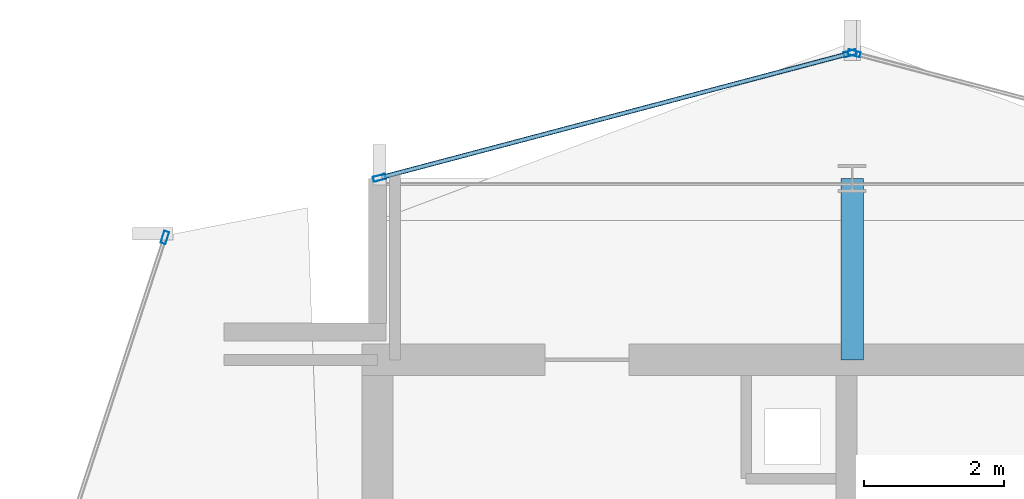
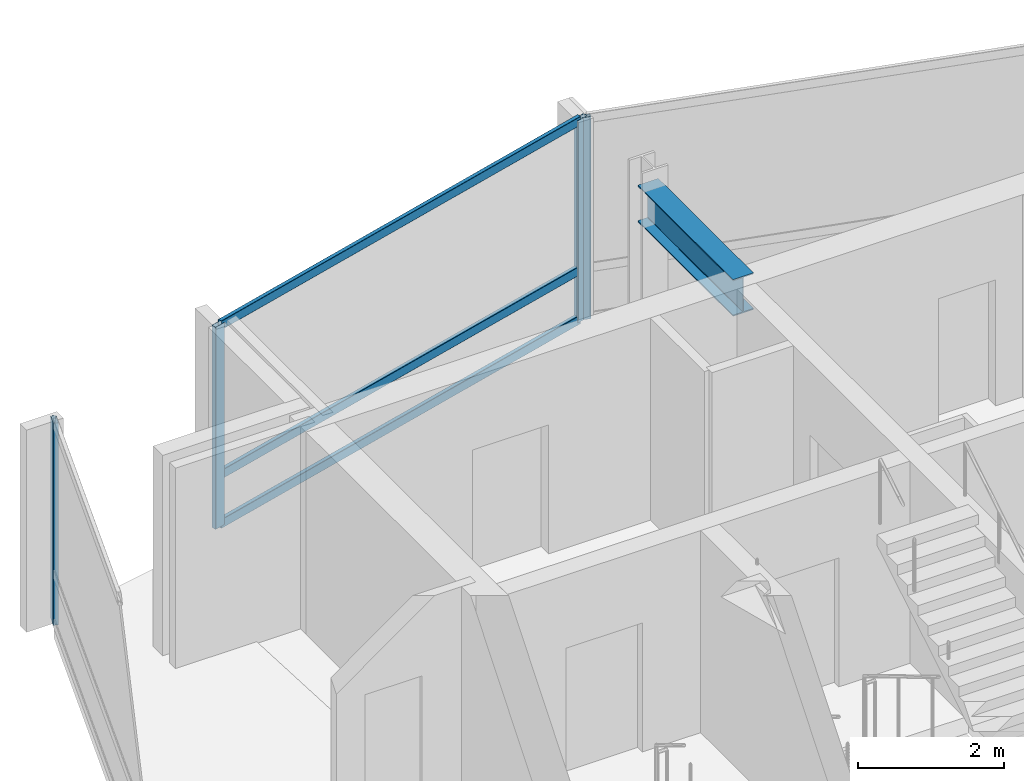
# One storey, part 16 of 27: 7 members, 1 beam, 3 elements without a shape of their own.
"""IFC4 building model written with IfcOpenShell, lengths in metres."""

from ifc_helpers import new_model, si_unit, direction, frame, origin, origin_2d, place, context, subcontext, project, spatial, hollow_rectangle, i_section, extrude, material, layer, layer_set, material_profile, profile_set, type_object, element, aggregate, save


model = new_model("IFC4")

# Units and contexts
model_context = context("Model", 3, precision=1e-05, world=origin(), true_north=direction((0.0, 1.0)))
body_context = subcontext(model_context, "Body", "Model", "MODEL_VIEW")
ifc_project = project(units=[si_unit("LENGTHUNIT", "METRE"), si_unit("AREAUNIT", "SQUARE_METRE"), si_unit("VOLUMEUNIT", "CUBIC_METRE"), si_unit("PLANEANGLEUNIT", "RADIAN"), si_unit("MASSUNIT", "GRAM", prefix="KILO")], contexts=[model_context])

# Site, building, storey
site_placement = place(None, origin())
site = spatial("IfcSite", under=ifc_project, at=site_placement, CompositionType="ELEMENT")
building_placement = place(site_placement, origin())
building = spatial("IfcBuilding", under=site, at=building_placement, Name="Solvaryn Broadcast Tower", CompositionType="ELEMENT")
storey_placement = place(building_placement, frame((0.0, 0.0, 232.10009765625)))
storey = spatial("IfcBuildingStorey", under=building, at=storey_placement, Name="L58", CompositionType="ELEMENT", Elevation=232.10009765625)

# Beam
ifc_material_1 = material(Name="Steel ASTM A992 Grade 50", Category="steel")
ifc_material_profile_1 = material_profile(ifc_material_1, i_section(OverallWidth=0.323974609375, OverallDepth=0.611083984375, WebThickness=0.0126953125, FlangeThickness=0.01904296875, FilletRadius=0.014892578125, at=origin_2d()))
ifc_profile_set_1 = profile_set([ifc_material_profile_1], Name="Steel ASTM A992 Grade 50")
beam_type = type_object("IfcBeamType", Name="BM-B1-W24X104", PredefinedType="BEAM", material=ifc_profile_set_1)
beam_placement = place(storey_placement, frame((18.0, 42.39990234375, 3.064453125), z_axis=(0.0, 1.0, 0.0), x_axis=(-1.0, 0.0, 0.0)))
element("IfcBeam", 1, at=beam_placement, inside=storey, type_object=beam_type, Name="L58 Core Tie Beam CTW3", PredefinedType="BEAM", context=body_context, shape_type="SweptSolid", body=[
    extrude(i_section(OverallWidth=0.323974609375, OverallDepth=0.611083984375, WebThickness=0.0126953125, FlangeThickness=0.01904296875, FilletRadius=0.014892578125, at=origin_2d()), origin(), (0.0, 0.0, 1.0), 2.60009765625),
])

# Curtain wall, member
ifc_material_2 = material(Name="Aluminium and Terracotta Unitised Curtain Wall", Category="masonry")
ifc_layer = layer(ifc_material_2, 0.199951171875)
ifc_layer_set = layer_set([ifc_layer], Name="CW-SYS2-LOWMID")
curtain_wall_type = type_object("IfcCurtainWallType", Name="CW-SYS2-LOWMID", PredefinedType="NOTDEFINED", material=ifc_layer_set)
curtain_wall_1_placement = place(storey_placement, origin())
curtain_wall_1 = element("IfcCurtainWall", 2, at=curtain_wall_1_placement, inside=storey, type_object=curtain_wall_type, Name="L58 Curtain Wall DR1", PredefinedType="NOTDEFINED")
ifc_material_3 = material(Name="Anodised Aluminium 6063-T6", Category="aluminium")
ifc_material_profile_2 = material_profile(ifc_material_3, hollow_rectangle(XDim=0.074951171875, YDim=0.179931640625, WallThickness=0.00390625, InnerFilletRadius=0.00390625, OuterFilletRadius=0.008056640625, at=origin_2d()))
ifc_profile_set_2 = profile_set([ifc_material_profile_2], Name="Anodised Aluminium 6063-T6")
member_type_1 = type_object("IfcMemberType", Name="CW-MUL-180", PredefinedType="MULLION", material=ifc_profile_set_2)
member_1_placement = place(storey_placement, frame((8.153564453125, 44.153564453125, 0.0), z_axis=(0.0, 0.0, 1.0), x_axis=(0.950226902099, -0.311558717623, 0.0)))
member_1 = element("IfcMember", 3, at=member_1_placement, type_object=member_type_1, Name="CWS2 mullion 1", PredefinedType="MULLION", context=body_context, shape_type="SweptSolid", body=[
    extrude(hollow_rectangle(XDim=0.074951171875, YDim=0.179931640625, WallThickness=0.00390625, InnerFilletRadius=0.00390625, OuterFilletRadius=0.008056640625, at=origin_2d()), origin(), (0.0, 0.0, 1.0), 3.369873046875),
])
aggregate(curtain_wall_1, [member_1])

curtain_wall_2_placement = place(storey_placement, origin())
curtain_wall_2 = element("IfcCurtainWall", 4, at=curtain_wall_2_placement, inside=storey, type_object=curtain_wall_type, Name="L58 Curtain Wall NT1", PredefinedType="NOTDEFINED")
member_2_placement = place(storey_placement, frame((18.029052734375, 46.792236328125, 0.0), z_axis=(0.0, 0.0, 1.0), x_axis=(-0.25589256031, -0.966705227863, 0.0)))
member_2 = element("IfcMember", 5, at=member_2_placement, type_object=member_type_1, Name="CWS2 mullion 2", PredefinedType="MULLION", context=body_context, shape_type="SweptSolid", body=[
    extrude(hollow_rectangle(XDim=0.074951171875, YDim=0.179931640625, WallThickness=0.00390625, InnerFilletRadius=0.00390625, OuterFilletRadius=0.008056640625, at=origin_2d()), origin(), (0.0, 0.0, 1.0), 3.369873046875),
])
aggregate(curtain_wall_2, [member_2])

# Curtain wall, members
curtain_wall_3_placement = place(storey_placement, origin())
curtain_wall_3 = element("IfcCurtainWall", 6, at=curtain_wall_3_placement, inside=storey, type_object=curtain_wall_type, Name="L58 Curtain Wall NT2", PredefinedType="NOTDEFINED")
member_3_placement = place(storey_placement, frame((17.970947265625, 46.792236328125, 0.0), z_axis=(0.0, 0.0, 1.0), x_axis=(0.25589256031, -0.966705227863, 0.0)))
member_3 = element("IfcMember", 7, at=member_3_placement, type_object=member_type_1, Name="CWS2 mullion 1", PredefinedType="MULLION", context=body_context, shape_type="SweptSolid", body=[
    extrude(hollow_rectangle(XDim=0.074951171875, YDim=0.179931640625, WallThickness=0.00390625, InnerFilletRadius=0.00390625, OuterFilletRadius=0.008056640625, at=origin_2d()), origin(), (0.0, 0.0, 1.0), 3.369873046875),
])
member_4_placement = place(storey_placement, frame((11.22900390625, 45.007568359375, 0.0), z_axis=(0.0, 0.0, 1.0), x_axis=(0.25589256031, -0.966705227863, 0.0)))
member_4 = element("IfcMember", 8, at=member_4_placement, type_object=member_type_1, Name="CWS2 mullion 2", PredefinedType="MULLION", context=body_context, shape_type="SweptSolid", body=[
    extrude(hollow_rectangle(XDim=0.074951171875, YDim=0.179931640625, WallThickness=0.00390625, InnerFilletRadius=0.00390625, OuterFilletRadius=0.008056640625, at=origin_2d()), origin(), (0.0, 0.0, 1.0), 3.369873046875),
])
ifc_material_4 = material(Name="Anodised Aluminium 6063-T6", Category="aluminium")
ifc_material_profile_3 = material_profile(ifc_material_4, hollow_rectangle(XDim=0.06494140625, YDim=0.14990234375, WallThickness=0.00390625, InnerFilletRadius=0.00390625, OuterFilletRadius=0.008056640625, at=origin_2d()))
ifc_profile_set_3 = profile_set([ifc_material_profile_3], Name="Anodised Aluminium 6063-T6")
member_type_2 = type_object("IfcMemberType", Name="CW-TRN-150", PredefinedType="USERDEFINED", material=ifc_profile_set_3)
member_5_placement = place(storey_placement, frame((17.94189453125, 46.78466796875, 0.02978515625), z_axis=(-0.966703943301, -0.255897413051, 0.0), x_axis=(0.255897413051, -0.966703943301, 0.0)))
member_5 = element("IfcMember", 9, at=member_5_placement, type_object=member_type_2, Name="CWS2 transom 1.1", ObjectType="TRANSOM", PredefinedType="USERDEFINED", context=body_context, shape_type="SweptSolid", body=[
    extrude(hollow_rectangle(XDim=0.06494140625, YDim=0.14990234375, WallThickness=0.00390625, InnerFilletRadius=0.00390625, OuterFilletRadius=0.008056640625, at=origin_2d()), origin(), (0.0, 0.0, 1.0), 6.9140625),
])
member_6_placement = place(storey_placement, frame((17.94189453125, 46.78466796875, 0.849853515625), z_axis=(-0.966703943301, -0.255897413051, 0.0), x_axis=(0.255897413051, -0.966703943301, 0.0)))
member_6 = element("IfcMember", 10, at=member_6_placement, type_object=member_type_2, Name="CWS2 transom 1.2", ObjectType="TRANSOM", PredefinedType="USERDEFINED", context=body_context, shape_type="SweptSolid", body=[
    extrude(hollow_rectangle(XDim=0.06494140625, YDim=0.14990234375, WallThickness=0.00390625, InnerFilletRadius=0.00390625, OuterFilletRadius=0.008056640625, at=origin_2d()), origin(), (0.0, 0.0, 1.0), 6.9140625),
])
member_7_placement = place(storey_placement, frame((17.94189453125, 46.78466796875, 3.33984375), z_axis=(-0.966703943301, -0.255897413051, 0.0), x_axis=(0.255897413051, -0.966703943301, 0.0)))
member_7 = element("IfcMember", 11, at=member_7_placement, type_object=member_type_2, Name="CWS2 transom 1.3", ObjectType="TRANSOM", PredefinedType="USERDEFINED", context=body_context, shape_type="SweptSolid", body=[
    extrude(hollow_rectangle(XDim=0.06494140625, YDim=0.14990234375, WallThickness=0.00390625, InnerFilletRadius=0.00390625, OuterFilletRadius=0.008056640625, at=origin_2d()), origin(), (0.0, 0.0, 1.0), 6.9140625),
])
aggregate(curtain_wall_3, [member_3, member_4, member_5, member_6, member_7])

save(model, "model.ifc")
